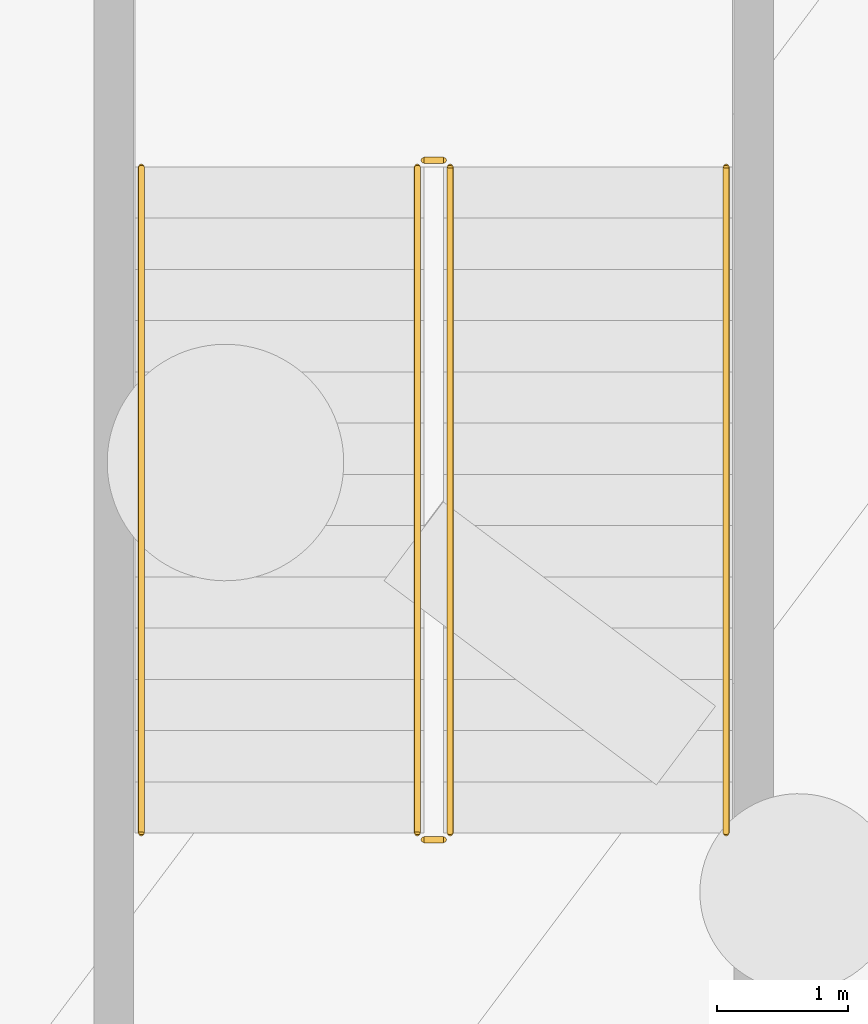
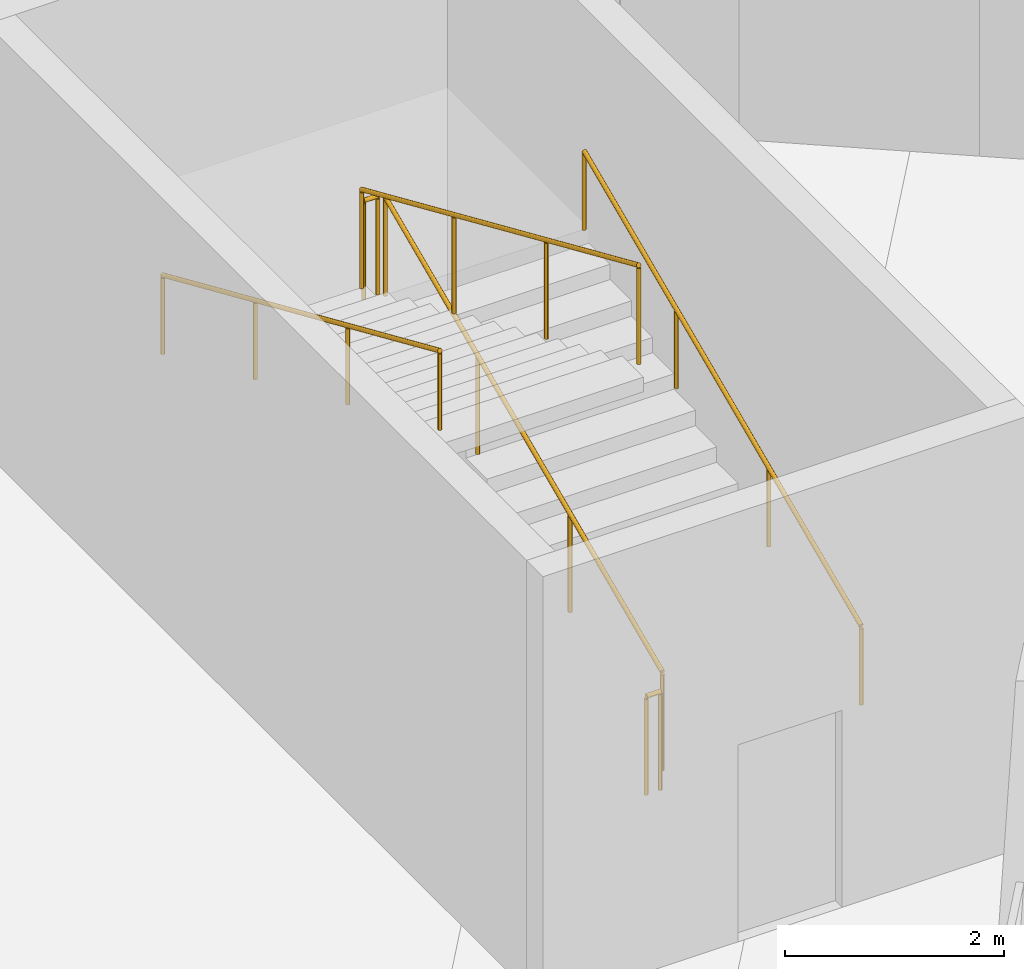
# One storey, part 6 of 9: 6 railings.
"""IFC4 building model written with IfcOpenShell, lengths in metres."""

from ifc_helpers import new_model, si_unit, direction, frame, origin, origin_2d, place, context, subcontext, project, spatial, circle, extrude, material, layer, layer_set, type_object, element, save


model = new_model("IFC4")

# Units and contexts
model_context = context("Model", 3, precision=1e-05, world=origin(), true_north=direction((0.0, 1.0)))
body_context = subcontext(model_context, "Body", "Model", "MODEL_VIEW")
ifc_project = project(units=[si_unit("LENGTHUNIT", "METRE"), si_unit("AREAUNIT", "SQUARE_METRE"), si_unit("VOLUMEUNIT", "CUBIC_METRE"), si_unit("PLANEANGLEUNIT", "RADIAN"), si_unit("MASSUNIT", "GRAM", prefix="KILO")], contexts=[model_context])

# Site, building, storey
site_placement = place(None, origin())
site = spatial("IfcSite", under=ifc_project, at=site_placement, CompositionType="ELEMENT")
building_placement = place(site_placement, origin())
building = spatial("IfcBuilding", under=site, at=building_placement, Name="Hatsunagi Terrace Concourse", CompositionType="ELEMENT")
storey_placement = place(building_placement, frame((0.0, 0.0, -9.60009765625)))
storey = spatial("IfcBuildingStorey", under=building, at=storey_placement, Name="B02", CompositionType="ELEMENT", Elevation=-9.60009765625)

# Railings
ifc_material_1 = material(Name="Stainless steel", Category="steel")
ifc_layer_1 = layer(ifc_material_1, 0.050048828125)
ifc_layer_set_1 = layer_set([ifc_layer_1], Name="StairPitchHandrail_Podium2200")
railing_type_1 = type_object("IfcRailingType", Name="StairPitchHandrail_Podium2200", PredefinedType="HANDRAIL", material=ifc_layer_set_1)
railing_1_placement = place(storey_placement, frame((59.14990234375, 12.0, 0.171630859375)))
element("IfcRailing", 1, at=railing_1_placement, inside=storey, type_object=railing_type_1, Name="B02 ST-P2 stair handrail 1", PredefinedType="HANDRAIL", context=body_context, shape_type="SweptSolid", body=[
    extrude(circle(Radius=0.02392578125, at=origin_2d()), frame((0.0, 0.0, 0.8759765625), z_axis=(0.0, 0.915469019145, 0.40238846279), x_axis=(-1.0, 0.0, 0.0)), (0.0, 0.0, 1.0), 5.538330078125),
    extrude(circle(Radius=0.02099609375, at=origin_2d()), origin(), (0.0, 0.0, 1.0), 0.851806640625),
    extrude(circle(Radius=0.02099609375, at=origin_2d()), frame((0.0, 1.68994140625, 0.742919921875)), (0.0, 0.0, 1.0), 0.851806640625),
    extrude(circle(Radius=0.02099609375, at=origin_2d()), frame((0.0, 3.380126953125, 1.485595703125)), (0.0, 0.0, 1.0), 0.851806640625),
    extrude(circle(Radius=0.02099609375, at=origin_2d()), frame((0.0, 5.070068359375, 2.228515625)), (0.0, 0.0, 1.0), 0.851806640625),
])
railing_2_placement = place(storey_placement, frame((54.699951171875, 17.070068359375, 2.571533203125)))
element("IfcRailing", 2, at=railing_2_placement, inside=storey, type_object=railing_type_1, Name="B02 ST-P2 stair handrail 2", PredefinedType="HANDRAIL", context=body_context, shape_type="SweptSolid", body=[
    extrude(circle(Radius=0.02392578125, at=origin_2d()), frame((0.0, 0.0, 0.8759765625), z_axis=(0.0, -0.915469019145, 0.40238846279), x_axis=(1.0, 0.0, 0.0)), (0.0, 0.0, 1.0), 5.538330078125),
    extrude(circle(Radius=0.02099609375, at=origin_2d()), origin(), (0.0, 0.0, 1.0), 0.851806640625),
    extrude(circle(Radius=0.02099609375, at=origin_2d()), frame((0.0, -1.68994140625, 0.742919921875)), (0.0, 0.0, 1.0), 0.851806640625),
    extrude(circle(Radius=0.02099609375, at=origin_2d()), frame((0.0, -3.380126953125, 1.485595703125)), (0.0, 0.0, 1.0), 0.851806640625),
    extrude(circle(Radius=0.02099609375, at=origin_2d()), frame((0.0, -5.070068359375, 2.228515625)), (0.0, 0.0, 1.0), 0.851806640625),
])
ifc_material_2 = material(Name="Stainless steel", Category="steel")
ifc_layer_2 = layer(ifc_material_2, 0.06494140625)
ifc_layer_set_2 = layer_set([ifc_layer_2], Name="StairWellGuard_Podium2200")
railing_type_2 = type_object("IfcRailingType", Name="StairWellGuard_Podium2200", PredefinedType="BALUSTRADE", material=ifc_layer_set_2)
railing_3_placement = place(storey_placement, frame((57.050048828125, 12.0, 0.171630859375)))
element("IfcRailing", 3, at=railing_3_placement, inside=storey, type_object=railing_type_2, Name="B02 ST-P2 stair guard 1", PredefinedType="BALUSTRADE", context=body_context, shape_type="SweptSolid", body=[
    extrude(circle(Radius=0.02392578125, at=origin_2d()), frame((0.0, 0.0, 1.09619140625), z_axis=(0.0, 0.915469019145, 0.40238846279), x_axis=(-1.0, 0.0, 0.0)), (0.0, 0.0, 1.0), 5.538330078125),
    extrude(circle(Radius=0.02099609375, at=origin_2d()), origin(), (0.0, 0.0, 1.0), 1.072021484375),
    extrude(circle(Radius=0.02099609375, at=origin_2d()), frame((0.0, 1.68994140625, 0.742919921875)), (0.0, 0.0, 1.0), 1.072021484375),
    extrude(circle(Radius=0.02099609375, at=origin_2d()), frame((0.0, 3.380126953125, 1.485595703125)), (0.0, 0.0, 1.0), 1.072021484375),
    extrude(circle(Radius=0.02099609375, at=origin_2d()), frame((0.0, 5.070068359375, 2.228515625)), (0.0, 0.0, 1.0), 1.072021484375),
])
railing_4_placement = place(storey_placement, frame((57.0, 17.1201171875, 2.400146484375)))
element("IfcRailing", 4, at=railing_4_placement, inside=storey, type_object=railing_type_2, Name="B02 ST-P2 stair guard 2", PredefinedType="BALUSTRADE", context=body_context, shape_type="SweptSolid", body=[
    extrude(circle(Radius=0.02392578125, at=origin_2d()), frame((0.0, 0.0, 1.09619140625), z_axis=(-1.0, 0.0, 0.0), x_axis=(0.0, -1.0, 0.0)), (0.0, 0.0, 1.0), 0.14990234375),
    extrude(circle(Radius=0.02099609375, at=origin_2d()), origin(), (0.0, 0.0, 1.0), 1.072021484375),
    extrude(circle(Radius=0.02099609375, at=origin_2d()), frame((-0.14990234375, 0.0, 0.0)), (0.0, 0.0, 1.0), 1.072021484375),
])
railing_5_placement = place(storey_placement, frame((56.800048828125, 17.070068359375, 2.571533203125)))
element("IfcRailing", 5, at=railing_5_placement, inside=storey, type_object=railing_type_2, Name="B02 ST-P2 stair guard 3", PredefinedType="BALUSTRADE", context=body_context, shape_type="SweptSolid", body=[
    extrude(circle(Radius=0.02392578125, at=origin_2d()), frame((0.0, 0.0, 1.09619140625), z_axis=(0.0, -0.915469019145, 0.40238846279), x_axis=(1.0, 0.0, 0.0)), (0.0, 0.0, 1.0), 5.538330078125),
    extrude(circle(Radius=0.02099609375, at=origin_2d()), origin(), (0.0, 0.0, 1.0), 1.072021484375),
    extrude(circle(Radius=0.02099609375, at=origin_2d()), frame((0.0, -1.68994140625, 0.742919921875)), (0.0, 0.0, 1.0), 1.072021484375),
    extrude(circle(Radius=0.02099609375, at=origin_2d()), frame((0.0, -3.380126953125, 1.485595703125)), (0.0, 0.0, 1.0), 1.072021484375),
    extrude(circle(Radius=0.02099609375, at=origin_2d()), frame((0.0, -5.070068359375, 2.228515625)), (0.0, 0.0, 1.0), 1.072021484375),
])
railing_6_placement = place(storey_placement, frame((57.0, 11.949951171875, 0.0)))
element("IfcRailing", 6, at=railing_6_placement, inside=storey, type_object=railing_type_2, Name="B02 ST-P2 stair guard 4", PredefinedType="BALUSTRADE", context=body_context, shape_type="SweptSolid", body=[
    extrude(circle(Radius=0.02392578125, at=origin_2d()), frame((0.0, 0.0, 1.09619140625), z_axis=(-1.0, 0.0, 0.0), x_axis=(0.0, -1.0, 0.0)), (0.0, 0.0, 1.0), 0.14990234375),
    extrude(circle(Radius=0.02099609375, at=origin_2d()), origin(), (0.0, 0.0, 1.0), 1.072021484375),
    extrude(circle(Radius=0.02099609375, at=origin_2d()), frame((-0.14990234375, 0.0, 0.0)), (0.0, 0.0, 1.0), 1.072021484375),
])

save(model, "model.ifc")
